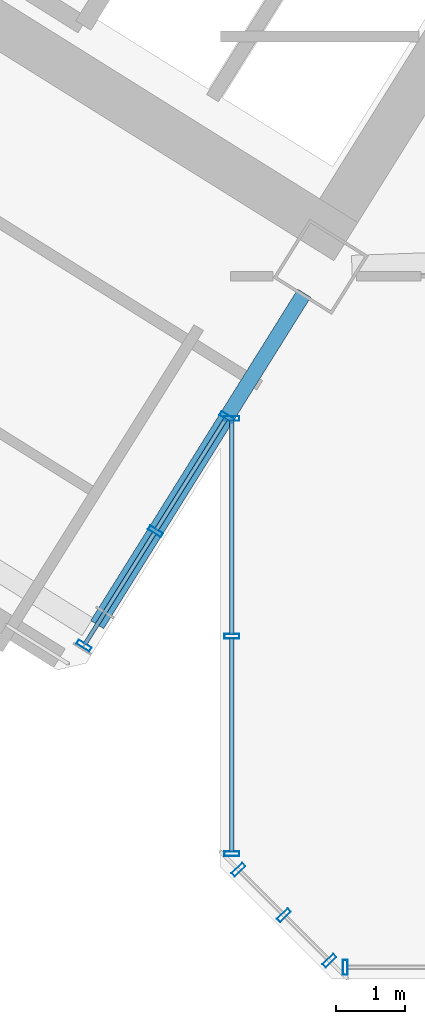
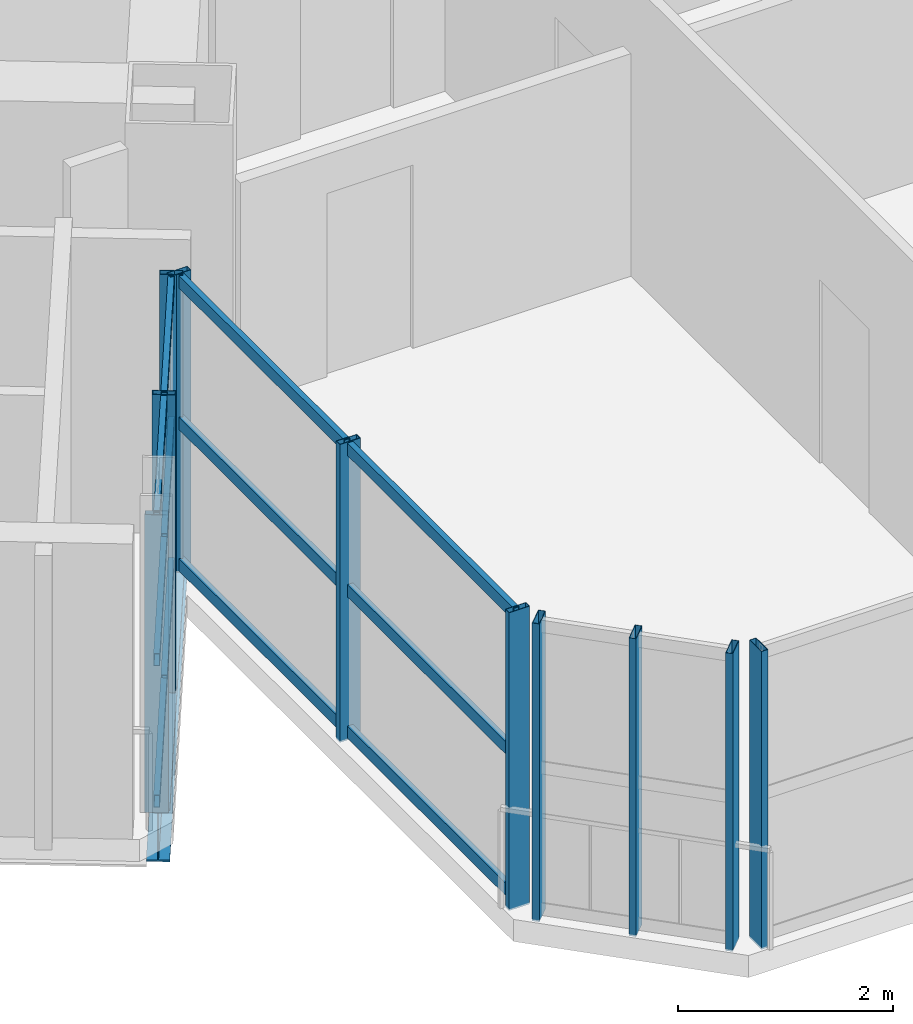
# One storey, part 5 of 24: 22 members, 1 beam, 4 elements without a shape of their own.
"""IFC4 building model written with IfcOpenShell, lengths in metres."""

from ifc_helpers import new_model, si_unit, direction, frame, origin, origin_2d, place, context, subcontext, project, spatial, hollow_rectangle, i_section, extrude, source, transform, mapped, material, material_profile, profile_set, type_object, element, aggregate, save


model = new_model("IFC4")

# Units and contexts
model_context = context("Model", 3, precision=1e-05, world=origin(), true_north=direction((0.0, 1.0)))
body_context = subcontext(model_context, "Body", "Model", "MODEL_VIEW")
ifc_project = project(units=[si_unit("LENGTHUNIT", "METRE"), si_unit("AREAUNIT", "SQUARE_METRE"), si_unit("VOLUMEUNIT", "CUBIC_METRE"), si_unit("PLANEANGLEUNIT", "RADIAN"), si_unit("MASSUNIT", "GRAM", prefix="KILO")], contexts=[model_context])

# Site, building, storey
site_placement = place(None, origin())
site = spatial("IfcSite", under=ifc_project, at=site_placement, CompositionType="ELEMENT")
building_placement = place(site_placement, origin())
building = spatial("IfcBuilding", under=site, at=building_placement, Name="Tlacorven Tower", CompositionType="ELEMENT")
storey_placement = place(building_placement, frame((0.0, 0.0, 60.0)))
storey = spatial("IfcBuildingStorey", under=building, at=storey_placement, Name="L15", CompositionType="ELEMENT", Elevation=60.0)

# Beam
ifc_material_1 = material(Name="Steel S355J2", Category="steel")
ifc_material_profile_1 = material_profile(ifc_material_1, i_section(OverallWidth=0.219970703125, OverallDepth=0.60009765625, WebThickness=0.011962890625, FlangeThickness=0.01904296875, at=origin_2d()), Name="IPE 600")
ifc_profile_set_1 = profile_set([ifc_material_profile_1], Name="Steel S355J2")
beam_type = type_object("IfcBeamType", Name="BM-TWR-600", PredefinedType="BEAM", material=ifc_profile_set_1)
shared_shape_1 = source(origin(), body_context, "Body", "SweptSolid", [
    extrude(i_section(OverallWidth=0.219970703125, OverallDepth=0.60009765625, WebThickness=0.011962890625, FlangeThickness=0.01904296875, at=origin_2d()), origin(), (0.0, 0.0, 1.0), 5.64990234375),
])
beam_placement = place(storey_placement, frame((32.8076171875, 11.705322265625, -0.550048828125), z_axis=(-0.529897948462, -0.848061415356, 0.0), x_axis=(0.848061415356, -0.529897948462, 0.0)))
element("IfcBeam", 1, at=beam_placement, inside=storey, type_object=beam_type, Name="L15 beam BM-L15-WT1-2", PredefinedType="BEAM", context=body_context, shape_type="MappedRepresentation", body=[
    mapped(shared_shape_1, transform((0.0, 0.0, 0.0), scale=1.0)),
])

# Curtain wall, member
ifc_material_2 = material(Name="Dark solar low-E double glazing in aluminium frame", Category="aluminium")
curtain_wall_type = type_object("IfcCurtainWallType", Name="CW-TWR-LOW", PredefinedType="USERDEFINED", material=ifc_material_2)
curtain_wall_1_placement = place(storey_placement, origin())
curtain_wall_1 = element("IfcCurtainWall", 2, at=curtain_wall_1_placement, inside=storey, type_object=curtain_wall_type, Name="L15 CW-TWR-LOW Curtain Wall 82", ObjectType="UNITISED CURTAIN WALL", PredefinedType="USERDEFINED")
ifc_material_3 = material(Name="Aluminium 6063-T6 anodised", Category="aluminium")
ifc_material_profile_2 = material_profile(ifc_material_3, hollow_rectangle(XDim=0.070068359375, YDim=0.219970703125, WallThickness=0.0048828125, at=origin_2d()), Name="ALU MULLION 70X220")
ifc_profile_set_2 = profile_set([ifc_material_profile_2], Name="Aluminium 6063-T6 anodised")
member_type_1 = type_object("IfcMemberType", Name="CWM-01", PredefinedType="MULLION", material=ifc_profile_set_2)
shared_shape_2 = source(origin(), body_context, "Body", "SweptSolid", [
    extrude(hollow_rectangle(XDim=0.070068359375, YDim=0.219970703125, WallThickness=0.0048828125, at=origin_2d()), origin(), (0.0, 0.0, 1.0), 3.380126953125),
])
member_1_placement = place(storey_placement, frame((33.4013671875, 1.9599609375, -0.02001953125), z_axis=(0.0, 0.0, 1.0), x_axis=(-1.0, 0.0, 0.0)))
member_1 = element("IfcMember", 3, at=member_1_placement, type_object=member_type_1, Name="CW-L15-082 Mullion 4", PredefinedType="MULLION", context=body_context, shape_type="MappedRepresentation", body=[
    mapped(shared_shape_2, transform((0.0, 0.0, 0.0), scale=1.0)),
])
aggregate(curtain_wall_1, [member_1])

# Curtain wall, members
curtain_wall_2_placement = place(storey_placement, origin())
curtain_wall_2 = element("IfcCurtainWall", 4, at=curtain_wall_2_placement, inside=storey, type_object=curtain_wall_type, Name="L15 CW-TWR-LOW Curtain Wall 83", ObjectType="UNITISED CURTAIN WALL", PredefinedType="USERDEFINED")
member_2_placement = place(storey_placement, frame((33.1708984375, 2.055419921875, -0.02001953125), z_axis=(0.0, 0.0, 1.0), x_axis=(-0.707106781187, 0.707106781187, 0.0)))
member_2 = element("IfcMember", 5, at=member_2_placement, type_object=member_type_1, Name="CW-L15-083 Mullion 1", PredefinedType="MULLION", context=body_context, shape_type="MappedRepresentation", body=[
    mapped(shared_shape_2, transform((0.0, 0.0, 0.0), scale=1.0)),
])
member_3_placement = place(storey_placement, frame((32.51318359375, 2.713134765625, -0.02001953125), z_axis=(0.0, 0.0, 1.0), x_axis=(-0.707106781187, 0.707106781187, 0.0)))
member_3 = element("IfcMember", 6, at=member_3_placement, type_object=member_type_1, Name="CW-L15-083 Mullion 2", PredefinedType="MULLION", context=body_context, shape_type="MappedRepresentation", body=[
    mapped(shared_shape_2, transform((0.0, 0.0, 0.0), scale=1.0)),
])
member_4_placement = place(storey_placement, frame((31.85546875, 3.370849609375, -0.02001953125), z_axis=(0.0, 0.0, 1.0), x_axis=(-0.707106781187, 0.707106781187, 0.0)))
member_4 = element("IfcMember", 7, at=member_4_placement, type_object=member_type_1, Name="CW-L15-083 Mullion 3", PredefinedType="MULLION", context=body_context, shape_type="MappedRepresentation", body=[
    mapped(shared_shape_2, transform((0.0, 0.0, 0.0), scale=1.0)),
])
aggregate(curtain_wall_2, [member_2, member_3, member_4])

curtain_wall_3_placement = place(storey_placement, origin())
curtain_wall_3 = element("IfcCurtainWall", 8, at=curtain_wall_3_placement, inside=storey, type_object=curtain_wall_type, Name="L15 CW-TWR-LOW Curtain Wall 84", ObjectType="UNITISED CURTAIN WALL", PredefinedType="USERDEFINED")
member_5_placement = place(storey_placement, frame((31.760009765625, 3.601318359375, -0.02001953125), z_axis=(0.0, 0.0, 1.0), x_axis=(0.0, 1.0, 0.0)))
member_5 = element("IfcMember", 9, at=member_5_placement, type_object=member_type_1, Name="CW-L15-084 Mullion 1", PredefinedType="MULLION", context=body_context, shape_type="MappedRepresentation", body=[
    mapped(shared_shape_2, transform((0.0, 0.0, 0.0), scale=1.0)),
])
member_6_placement = place(storey_placement, frame((31.760009765625, 6.74755859375, -0.02001953125), z_axis=(0.0, 0.0, 1.0), x_axis=(0.0, 1.0, 0.0)))
member_6 = element("IfcMember", 10, at=member_6_placement, type_object=member_type_1, Name="CW-L15-084 Mullion 2", PredefinedType="MULLION", context=body_context, shape_type="MappedRepresentation", body=[
    mapped(shared_shape_2, transform((0.0, 0.0, 0.0), scale=1.0)),
])
member_7_placement = place(storey_placement, frame((31.760009765625, 9.8935546875, -0.02001953125), z_axis=(0.0, 0.0, 1.0), x_axis=(0.0, 1.0, 0.0)))
member_7 = element("IfcMember", 11, at=member_7_placement, type_object=member_type_1, Name="CW-L15-084 Mullion 3", PredefinedType="MULLION", context=body_context, shape_type="MappedRepresentation", body=[
    mapped(shared_shape_2, transform((0.0, 0.0, 0.0), scale=1.0)),
])

curtain_wall_4_placement = place(storey_placement, origin())
curtain_wall_4 = element("IfcCurtainWall", 12, at=curtain_wall_4_placement, inside=storey, type_object=curtain_wall_type, Name="L15 CW-TWR-LOW Curtain Wall 85", ObjectType="UNITISED CURTAIN WALL", PredefinedType="USERDEFINED")
member_8_placement = place(storey_placement, frame((31.6884765625, 9.9140625, -0.02001953125), z_axis=(0.0, 0.0, 1.0), x_axis=(-0.529918710919, -0.848048441905, 0.0)))
member_8 = element("IfcMember", 13, at=member_8_placement, type_object=member_type_1, Name="CW-L15-085 Mullion 1", PredefinedType="MULLION", context=body_context, shape_type="MappedRepresentation", body=[
    mapped(shared_shape_2, transform((0.0, 0.0, 0.0), scale=1.0)),
])
member_9_placement = place(storey_placement, frame((30.656005859375, 8.261962890625, -0.02001953125), z_axis=(0.0, 0.0, 1.0), x_axis=(-0.529918710919, -0.848048441905, 0.0)))
member_9 = element("IfcMember", 14, at=member_9_placement, type_object=member_type_1, Name="CW-L15-085 Mullion 2", PredefinedType="MULLION", context=body_context, shape_type="MappedRepresentation", body=[
    mapped(shared_shape_2, transform((0.0, 0.0, 0.0), scale=1.0)),
])
member_10_placement = place(storey_placement, frame((29.62353515625, 6.609619140625, -0.02001953125), z_axis=(0.0, 0.0, 1.0), x_axis=(-0.529918710919, -0.848048441905, 0.0)))
member_10 = element("IfcMember", 15, at=member_10_placement, type_object=member_type_1, Name="CW-L15-085 Mullion 3", PredefinedType="MULLION", context=body_context, shape_type="MappedRepresentation", body=[
    mapped(shared_shape_2, transform((0.0, 0.0, 0.0), scale=1.0)),
])

# Member
ifc_material_profile_3 = material_profile(ifc_material_3, hollow_rectangle(XDim=0.06005859375, YDim=0.139892578125, WallThickness=0.00390625, at=origin_2d()), Name="ALU TRANSOM 60X140")
ifc_profile_set_3 = profile_set([ifc_material_profile_3], Name="Aluminium 6063-T6 anodised")
member_type_2 = type_object("IfcMemberType", Name="CWT-02", PredefinedType="USERDEFINED", material=ifc_profile_set_3)
shared_shape_3 = source(origin(), body_context, "Body", "SweptSolid", [
    extrude(hollow_rectangle(XDim=0.06005859375, YDim=0.139892578125, WallThickness=0.00390625, at=origin_2d()), origin(), (0.0, 0.0, 1.0), 3.10009765625),
])
member_11_placement = place(storey_placement, frame((31.760009765625, 3.624267578125, 0.070068359375), z_axis=(0.0, 1.0, 0.0), x_axis=(-1.0, 0.0, 0.0)))
member_11 = element("IfcMember", 16, at=member_11_placement, type_object=member_type_2, Name="CW-L15-084 Transom 1", ObjectType="TRANSOM", PredefinedType="USERDEFINED", context=body_context, shape_type="MappedRepresentation", body=[
    mapped(shared_shape_3, transform((0.0, 0.0, 0.0), scale=1.0)),
])

member_12_placement = place(storey_placement, frame((31.760009765625, 3.624267578125, 1.675048828125), z_axis=(0.0, 1.0, 0.0), x_axis=(-1.0, 0.0, 0.0)))
member_12 = element("IfcMember", 17, at=member_12_placement, type_object=member_type_2, Name="CW-L15-084 Transom 2", ObjectType="TRANSOM", PredefinedType="USERDEFINED", context=body_context, shape_type="MappedRepresentation", body=[
    mapped(shared_shape_3, transform((0.0, 0.0, 0.0), scale=1.0)),
])

member_13_placement = place(storey_placement, frame((31.760009765625, 3.624267578125, 3.280029296875), z_axis=(0.0, 1.0, 0.0), x_axis=(-1.0, 0.0, 0.0)))
member_13 = element("IfcMember", 18, at=member_13_placement, type_object=member_type_2, Name="CW-L15-084 Transom 3", ObjectType="TRANSOM", PredefinedType="USERDEFINED", context=body_context, shape_type="MappedRepresentation", body=[
    mapped(shared_shape_3, transform((0.0, 0.0, 0.0), scale=1.0)),
])

member_14_placement = place(storey_placement, frame((31.760009765625, 6.7705078125, 0.070068359375), z_axis=(0.0, 1.0, 0.0), x_axis=(-1.0, 0.0, 0.0)))
member_14 = element("IfcMember", 19, at=member_14_placement, type_object=member_type_2, Name="CW-L15-084 Transom 4", ObjectType="TRANSOM", PredefinedType="USERDEFINED", context=body_context, shape_type="MappedRepresentation", body=[
    mapped(shared_shape_3, transform((0.0, 0.0, 0.0), scale=1.0)),
])

member_15_placement = place(storey_placement, frame((31.760009765625, 6.7705078125, 1.675048828125), z_axis=(0.0, 1.0, 0.0), x_axis=(-1.0, 0.0, 0.0)))
member_15 = element("IfcMember", 20, at=member_15_placement, type_object=member_type_2, Name="CW-L15-084 Transom 5", ObjectType="TRANSOM", PredefinedType="USERDEFINED", context=body_context, shape_type="MappedRepresentation", body=[
    mapped(shared_shape_3, transform((0.0, 0.0, 0.0), scale=1.0)),
])

member_16_placement = place(storey_placement, frame((31.760009765625, 6.7705078125, 3.280029296875), z_axis=(0.0, 1.0, 0.0), x_axis=(-1.0, 0.0, 0.0)))
member_16 = element("IfcMember", 21, at=member_16_placement, type_object=member_type_2, Name="CW-L15-084 Transom 6", ObjectType="TRANSOM", PredefinedType="USERDEFINED", context=body_context, shape_type="MappedRepresentation", body=[
    mapped(shared_shape_3, transform((0.0, 0.0, 0.0), scale=1.0)),
])

aggregate(curtain_wall_3, [member_5, member_6, member_7, member_11, member_12, member_13, member_14, member_15, member_16])

shared_shape_4 = source(origin(), body_context, "Body", "SweptSolid", [
    extrude(hollow_rectangle(XDim=0.06005859375, YDim=0.139892578125, WallThickness=0.00390625, at=origin_2d()), origin(), (0.0, 0.0, 1.0), 1.902587890625),
])
member_17_placement = place(storey_placement, frame((31.67626953125, 9.894775390625, 0.070068359375), z_axis=(-0.529848980307, -0.848092010378, 0.0), x_axis=(0.848092010378, -0.529848980307, 0.0)))
member_17 = element("IfcMember", 22, at=member_17_placement, type_object=member_type_2, Name="CW-L15-085 Transom 1", ObjectType="TRANSOM", PredefinedType="USERDEFINED", context=body_context, shape_type="MappedRepresentation", body=[
    mapped(shared_shape_4, transform((0.0, 0.0, 0.0), scale=1.0)),
])

member_18_placement = place(storey_placement, frame((31.67626953125, 9.894775390625, 1.675048828125), z_axis=(-0.529848980307, -0.848092010378, 0.0), x_axis=(0.848092010378, -0.529848980307, 0.0)))
member_18 = element("IfcMember", 23, at=member_18_placement, type_object=member_type_2, Name="CW-L15-085 Transom 2", ObjectType="TRANSOM", PredefinedType="USERDEFINED", context=body_context, shape_type="MappedRepresentation", body=[
    mapped(shared_shape_4, transform((0.0, 0.0, 0.0), scale=1.0)),
])

member_19_placement = place(storey_placement, frame((31.67626953125, 9.894775390625, 3.280029296875), z_axis=(-0.529848980307, -0.848092010378, 0.0), x_axis=(0.848092010378, -0.529848980307, 0.0)))
member_19 = element("IfcMember", 24, at=member_19_placement, type_object=member_type_2, Name="CW-L15-085 Transom 3", ObjectType="TRANSOM", PredefinedType="USERDEFINED", context=body_context, shape_type="MappedRepresentation", body=[
    mapped(shared_shape_4, transform((0.0, 0.0, 0.0), scale=1.0)),
])

shared_shape_5 = source(origin(), body_context, "Body", "SweptSolid", [
    extrude(hollow_rectangle(XDim=0.06005859375, YDim=0.139892578125, WallThickness=0.00390625, at=origin_2d()), origin(), (0.0, 0.0, 1.0), 1.90234375),
])
member_20_placement = place(storey_placement, frame((30.643798828125, 8.242431640625, 0.070068359375), z_axis=(-0.52990664903, -0.84805597888, 0.0), x_axis=(0.84805597888, -0.52990664903, 0.0)))
member_20 = element("IfcMember", 25, at=member_20_placement, type_object=member_type_2, Name="CW-L15-085 Transom 4", ObjectType="TRANSOM", PredefinedType="USERDEFINED", context=body_context, shape_type="MappedRepresentation", body=[
    mapped(shared_shape_5, transform((0.0, 0.0, 0.0), scale=1.0)),
])

member_21_placement = place(storey_placement, frame((30.643798828125, 8.242431640625, 1.675048828125), z_axis=(-0.52990664903, -0.84805597888, 0.0), x_axis=(0.84805597888, -0.52990664903, 0.0)))
member_21 = element("IfcMember", 26, at=member_21_placement, type_object=member_type_2, Name="CW-L15-085 Transom 5", ObjectType="TRANSOM", PredefinedType="USERDEFINED", context=body_context, shape_type="MappedRepresentation", body=[
    mapped(shared_shape_5, transform((0.0, 0.0, 0.0), scale=1.0)),
])

member_22_placement = place(storey_placement, frame((30.643798828125, 8.242431640625, 3.280029296875), z_axis=(-0.52990664903, -0.84805597888, 0.0), x_axis=(0.84805597888, -0.52990664903, 0.0)))
member_22 = element("IfcMember", 27, at=member_22_placement, type_object=member_type_2, Name="CW-L15-085 Transom 6", ObjectType="TRANSOM", PredefinedType="USERDEFINED", context=body_context, shape_type="MappedRepresentation", body=[
    mapped(shared_shape_5, transform((0.0, 0.0, 0.0), scale=1.0)),
])

aggregate(curtain_wall_4, [member_8, member_9, member_10, member_17, member_18, member_19, member_20, member_21, member_22])

save(model, "model.ifc")
